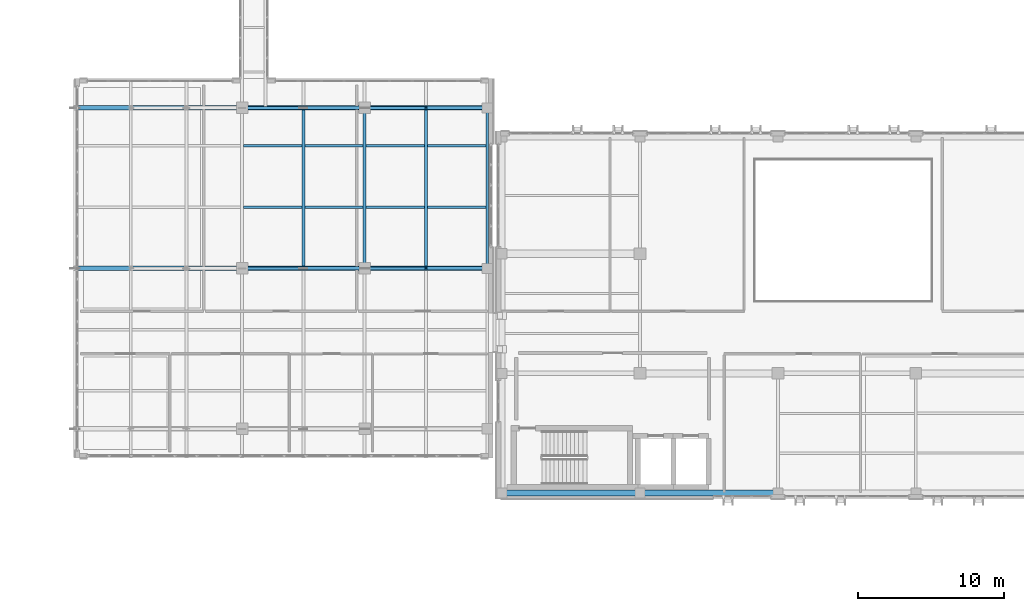
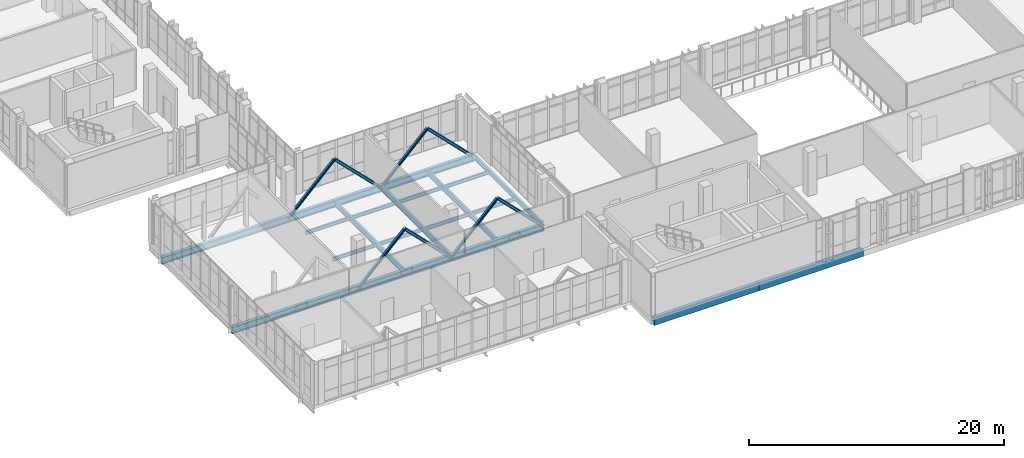
# One storey, part 8 of 193: 16 beams, 8 members.
"""IFC4 building model written with IfcOpenShell, lengths in metres."""

from ifc_helpers import new_model, si_unit, direction, frame, origin, origin_2d, place, context, subcontext, project, spatial, rectangle, i_section, extrude, material, material_profile, profile_set, type_object, element, save


model = new_model("IFC4")

# Units and contexts
model_context = context("Model", 3, precision=1e-05, world=origin(), true_north=direction((0.0, 1.0)))
body_context = subcontext(model_context, "Body", "Model", "MODEL_VIEW")
ifc_project = project(units=[si_unit("LENGTHUNIT", "METRE"), si_unit("AREAUNIT", "SQUARE_METRE"), si_unit("VOLUMEUNIT", "CUBIC_METRE"), si_unit("PLANEANGLEUNIT", "RADIAN"), si_unit("MASSUNIT", "GRAM", prefix="KILO")], contexts=[model_context])

# Site, building, storey
site_placement = place(None, origin())
site = spatial("IfcSite", under=ifc_project, at=site_placement, CompositionType="ELEMENT")
building_placement = place(site_placement, origin())
building = spatial("IfcBuilding", under=site, at=building_placement, Name="Qalavern Law Courts", CompositionType="ELEMENT")
storey_placement = place(building_placement, frame((0.0, 0.0, 10.199951171875)))
storey = spatial("IfcBuildingStorey", under=building, at=storey_placement, Name="L02", CompositionType="ELEMENT", Elevation=10.199951171875)

# Beams
ifc_material_1 = material(Name="Steel S355", Category="steel")
ifc_material_profile_1 = material_profile(ifc_material_1, i_section(OverallWidth=0.199951171875, OverallDepth=0.5, WebThickness=0.01025390625, FlangeThickness=0.01611328125, FilletRadius=0.02099609375, at=origin_2d()), Name="IPE 500")
ifc_profile_set_1 = profile_set([ifc_material_profile_1], Name="Steel S355")
beam_type_1 = type_object("IfcBeamType", Name="STR-BM-IPE500", PredefinedType="BEAM", material=ifc_profile_set_1)
for number, where, z_axis, x_axis, name in (
    (1, (29.39990234375, 21.14794921875, -0.5400390625), (0.0, 1.0, 0.0), (-1.0, 0.0, 0.0), "Foyer transverse beam L02-2.3"),
    (2, (25.199951171875, 21.14794921875, -0.5400390625), (0.0, 1.0, 0.0), (-1.0, 0.0, 0.0), "Foyer transverse beam L02-3.3"),
    (3, (21.0, 21.14794921875, -0.5400390625), (0.0, 1.0, 0.0), (-1.0, 0.0, 0.0), "Foyer transverse beam L02-4.3"),
):
    element("IfcBeam", number, at=place(storey_placement, frame(where, z_axis=z_axis, x_axis=x_axis)), inside=storey, type_object=beam_type_1, Name=name, PredefinedType="BEAM", context=body_context, shape_type="SweptSolid", body=[
        extrude(i_section(OverallWidth=0.199951171875, OverallDepth=0.5, WebThickness=0.01025390625, FlangeThickness=0.01611328125, FilletRadius=0.02099609375, at=origin_2d()), origin(), (0.0, 0.0, 1.0), 10.7041015625),
    ])

# Members
ifc_material_profile_2 = material_profile(ifc_material_1, i_section(OverallWidth=0.199951171875, OverallDepth=0.199951171875, WebThickness=0.009033203125, FlangeThickness=0.014892578125, FilletRadius=0.01806640625, at=origin_2d()), Name="HEB 200")
ifc_profile_set_2 = profile_set([ifc_material_profile_2], Name="Steel S355")
member_type_1 = type_object("IfcMemberType", Name="STR-BR-HEB200", PredefinedType="BRACE", material=ifc_profile_set_2)
for number, where, z_axis, x_axis, name in (
    (4, (29.39990234375, 21.0, 3.590087890625), (-0.706675324232, 0.0, -0.707537975038), (0.0, -1.0, 0.0), "Cantilever truss T2 diagonal L02-2"),
    (5, (21.0, 21.0, 3.590087890625), (-0.706675324232, 0.0, -0.707537975038), (0.0, -1.0, 0.0), "Cantilever truss T2 diagonal L02-4"),
    (6, (29.39990234375, 32.0, 3.590087890625), (-0.706675324232, 0.0, -0.707537975038), (0.0, -1.0, 0.0), "Cantilever truss T3 diagonal L02-2"),
    (7, (21.0, 32.0, 3.590087890625), (-0.706675324232, 0.0, -0.707537975038), (0.0, -1.0, 0.0), "Cantilever truss T3 diagonal L02-4"),
):
    element("IfcMember", number, at=place(storey_placement, frame(where, z_axis=z_axis, x_axis=x_axis)), inside=storey, type_object=member_type_1, Name=name, PredefinedType="BRACE", context=body_context, shape_type="SweptSolid", body=[
        extrude(i_section(OverallWidth=0.199951171875, OverallDepth=0.199951171875, WebThickness=0.009033203125, FlangeThickness=0.014892578125, FilletRadius=0.01806640625, at=origin_2d()), origin(), (0.0, 0.0, 1.0), 5.943359375),
    ])
ifc_material_profile_3 = material_profile(ifc_material_1, i_section(OverallWidth=0.239990234375, OverallDepth=0.239990234375, WebThickness=0.010009765625, FlangeThickness=0.01708984375, FilletRadius=0.02099609375, at=origin_2d()), Name="HEB 240")
ifc_profile_set_3 = profile_set([ifc_material_profile_3], Name="Steel S355")
member_type_2 = type_object("IfcMemberType", Name="STR-BR-HEB240", PredefinedType="BRACE", material=ifc_profile_set_3)
for number, where, z_axis, x_axis, name in (
    (8, (33.60009765625, 21.0, -0.614990234375), (-0.706695887699, 0.0, 0.707517436046), (0.0, -1.0, 0.0), "Cantilever truss T2 diagonal L02-1"),
    (9, (25.199951171875, 21.0, -0.614990234375), (-0.706675324232, 0.0, 0.707537975038), (0.0, -1.0, 0.0), "Cantilever truss T2 diagonal L02-3"),
    (10, (33.60009765625, 32.0, -0.614990234375), (-0.706695887699, 0.0, 0.707517436046), (0.0, -1.0, 0.0), "Cantilever truss T3 diagonal L02-1"),
    (11, (25.199951171875, 32.0, -0.614990234375), (-0.706675324232, 0.0, 0.707537975038), (0.0, -1.0, 0.0), "Cantilever truss T3 diagonal L02-3"),
):
    element("IfcMember", number, at=place(storey_placement, frame(where, z_axis=z_axis, x_axis=x_axis)), inside=storey, type_object=member_type_2, Name=name, PredefinedType="BRACE", context=body_context, shape_type="SweptSolid", body=[
        extrude(i_section(OverallWidth=0.239990234375, OverallDepth=0.239990234375, WebThickness=0.010009765625, FlangeThickness=0.01708984375, FilletRadius=0.02099609375, at=origin_2d()), origin(), (0.0, 0.0, 1.0), 5.943359375),
    ])

# Beams
ifc_material_profile_4 = material_profile(ifc_material_1, i_section(OverallWidth=0.159912109375, OverallDepth=0.330078125, WebThickness=0.007568359375, FlangeThickness=0.011474609375, FilletRadius=0.01806640625, at=origin_2d()), Name="IPE 330")
ifc_profile_set_4 = profile_set([ifc_material_profile_4], Name="Steel S355")
beam_type_2 = type_object("IfcBeamType", Name="STR-JST-IPE330", PredefinedType="JOIST", material=ifc_profile_set_4)
for number, where, z_axis, x_axis, name in (
    (12, (29.498046875, 25.199951171875, -0.454833984375), (1.0, 0.0, 0.0), (0.0, 1.0, 0.0), "Foyer floor joist L02-1.3"),
    (13, (29.498046875, 29.39990234375, -0.454833984375), (1.0, 0.0, 0.0), (0.0, 1.0, 0.0), "Foyer floor joist L02-1.4"),
    (14, (25.298095703125, 25.199951171875, -0.454833984375), (1.0, 0.0, 0.0), (0.0, 1.0, 0.0), "Foyer floor joist L02-2.3"),
    (15, (25.298095703125, 29.39990234375, -0.454833984375), (1.0, 0.0, 0.0), (0.0, 1.0, 0.0), "Foyer floor joist L02-2.4"),
):
    element("IfcBeam", number, at=place(storey_placement, frame(where, z_axis=z_axis, x_axis=x_axis)), inside=storey, type_object=beam_type_2, Name=name, PredefinedType="JOIST", context=body_context, shape_type="SweptSolid", body=[
        extrude(i_section(OverallWidth=0.159912109375, OverallDepth=0.330078125, WebThickness=0.007568359375, FlangeThickness=0.011474609375, FilletRadius=0.01806640625, at=origin_2d()), origin(), (0.0, 0.0, 1.0), 4.00390625),
    ])
for number, where, z_axis, x_axis, name in (
    (16, (21.097900390625, 25.199951171875, -0.454833984375), (1.0, 0.0, 0.0), (0.0, 1.0, 0.0), "Foyer floor joist L02-3.3"),
    (17, (21.097900390625, 29.39990234375, -0.454833984375), (1.0, 0.0, 0.0), (0.0, 1.0, 0.0), "Foyer floor joist L02-3.4"),
    (18, (16.89794921875, 25.199951171875, -0.454833984375), (1.0, 0.0, 0.0), (0.0, 1.0, 0.0), "Foyer floor joist L02-4.3"),
    (19, (16.89794921875, 29.39990234375, -0.454833984375), (1.0, 0.0, 0.0), (0.0, 1.0, 0.0), "Foyer floor joist L02-4.4"),
):
    element("IfcBeam", number, at=place(storey_placement, frame(where, z_axis=z_axis, x_axis=x_axis)), inside=storey, type_object=beam_type_2, Name=name, PredefinedType="JOIST", context=body_context, shape_type="SweptSolid", body=[
        extrude(i_section(OverallWidth=0.159912109375, OverallDepth=0.330078125, WebThickness=0.007568359375, FlangeThickness=0.011474609375, FilletRadius=0.01806640625, at=origin_2d()), origin(), (0.0, 0.0, 1.0), 4.004150390625),
    ])
ifc_material_profile_5 = material_profile(ifc_material_1, i_section(OverallWidth=0.18994140625, OverallDepth=0.449951171875, WebThickness=0.009521484375, FlangeThickness=0.0146484375, FilletRadius=0.02099609375, at=origin_2d()), Name="IPE 450")
ifc_profile_set_5 = profile_set([ifc_material_profile_5], Name="Steel S355")
beam_type_3 = type_object("IfcBeamType", Name="STR-SP-IPE450", PredefinedType="SPANDREL", material=ifc_profile_set_5)
beam_1_placement = place(storey_placement, frame((33.60009765625, 21.14794921875, -0.514892578125), z_axis=(0.0, 1.0, 0.0), x_axis=(-1.0, 0.0, 0.0)))
element("IfcBeam", 20, at=beam_1_placement, inside=storey, type_object=beam_type_3, Name="Foyer transverse beam L02-1.3", PredefinedType="SPANDREL", context=body_context, shape_type="SweptSolid", body=[
    extrude(i_section(OverallWidth=0.18994140625, OverallDepth=0.449951171875, WebThickness=0.009521484375, FlangeThickness=0.0146484375, FilletRadius=0.02099609375, at=origin_2d()), origin(), (0.0, 0.0, 1.0), 10.7041015625),
])
ifc_material_2 = material(Name="Concrete C40/50", Category="concrete")
ifc_material_profile_6 = material_profile(ifc_material_2, rectangle(XDim=0.39990234375, YDim=0.699951171875, at=origin_2d()), Name="RC 400x700")
ifc_profile_set_6 = profile_set([ifc_material_profile_6], Name="Concrete C40/50")
beam_type_4 = type_object("IfcBeamType", Name="STR-SP-RC400x700", PredefinedType="SPANDREL", material=ifc_profile_set_6)
beam_2_placement = place(storey_placement, frame((34.6201171875, 5.60009765625, -0.639892578125), z_axis=(1.0, 0.0, 0.0), x_axis=(0.0, 1.0, 0.0)))
element("IfcBeam", 21, at=beam_2_placement, inside=storey, type_object=beam_type_4, Name="V2 X-beam 1-1 L02", PredefinedType="SPANDREL", context=body_context, shape_type="SweptSolid", body=[
    extrude(rectangle(XDim=0.39990234375, YDim=0.699951171875, at=origin_2d()), origin(), (0.0, 0.0, 1.0), 9.4541015625),
])
beam_3_placement = place(storey_placement, frame((44.07421875, 5.60009765625, -0.639892578125), z_axis=(1.0, 0.0, 0.0), x_axis=(0.0, 1.0, 0.0)))
element("IfcBeam", 22, at=beam_3_placement, inside=storey, type_object=beam_type_4, Name="V2 X-beam 1-2 L02", PredefinedType="SPANDREL", context=body_context, shape_type="SweptSolid", body=[
    extrude(rectangle(XDim=0.39990234375, YDim=0.699951171875, at=origin_2d()), origin(), (0.0, 0.0, 1.0), 9.454345703125),
])
ifc_material_profile_7 = material_profile(ifc_material_1, i_section(OverallWidth=0.300048828125, OverallDepth=0.64990234375, WebThickness=0.01611328125, FlangeThickness=0.031005859375, FilletRadius=0.027099609375, at=origin_2d()), Name="HEB 650")
ifc_profile_set_7 = profile_set([ifc_material_profile_7], Name="Steel S355")
beam_type_5 = type_object("IfcBeamType", Name="STR-TC-HEB650", PredefinedType="BEAM", material=ifc_profile_set_7)
for number, where, z_axis, x_axis, name in (
    (23, (33.60009765625, 21.0, -0.614990234375), (-1.0, 0.0, 0.0), (0.0, -1.0, 0.0), "Cantilever foyer truss T2 continuous chord L02"),
    (24, (33.60009765625, 32.0, -0.614990234375), (-1.0, 0.0, 0.0), (0.0, -1.0, 0.0), "Cantilever foyer truss T3 continuous chord L02"),
):
    element("IfcBeam", number, at=place(storey_placement, frame(where, z_axis=z_axis, x_axis=x_axis)), inside=storey, type_object=beam_type_5, Name=name, PredefinedType="BEAM", context=body_context, shape_type="SweptSolid", body=[
        extrude(i_section(OverallWidth=0.300048828125, OverallDepth=0.64990234375, WebThickness=0.01611328125, FlangeThickness=0.031005859375, FilletRadius=0.027099609375, at=origin_2d()), origin(), (0.0, 0.0, 1.0), 28.25),
    ])

save(model, "model.ifc")
